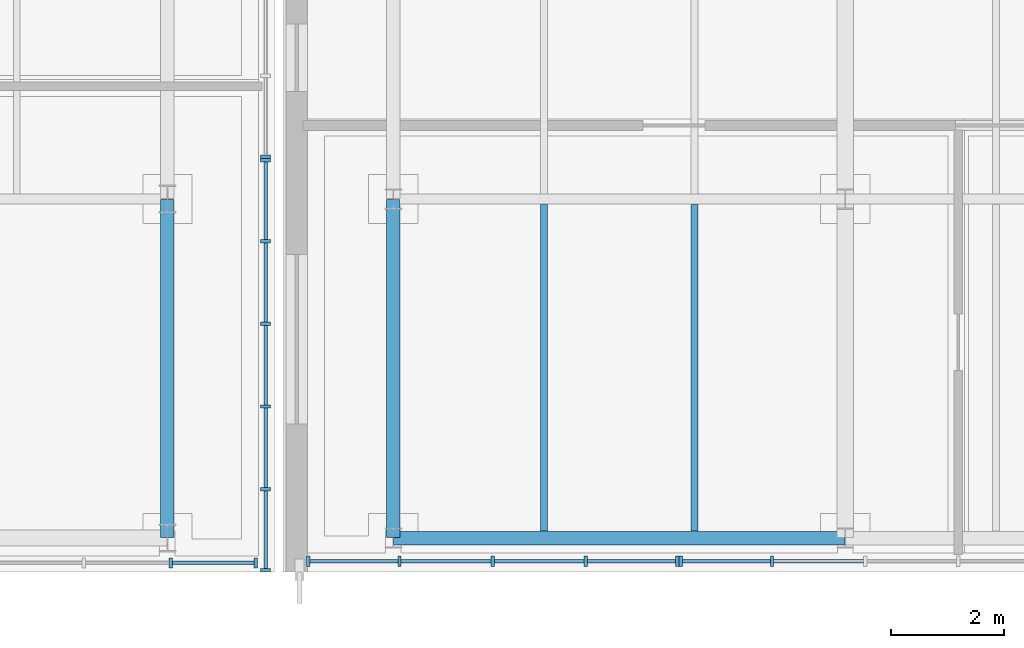
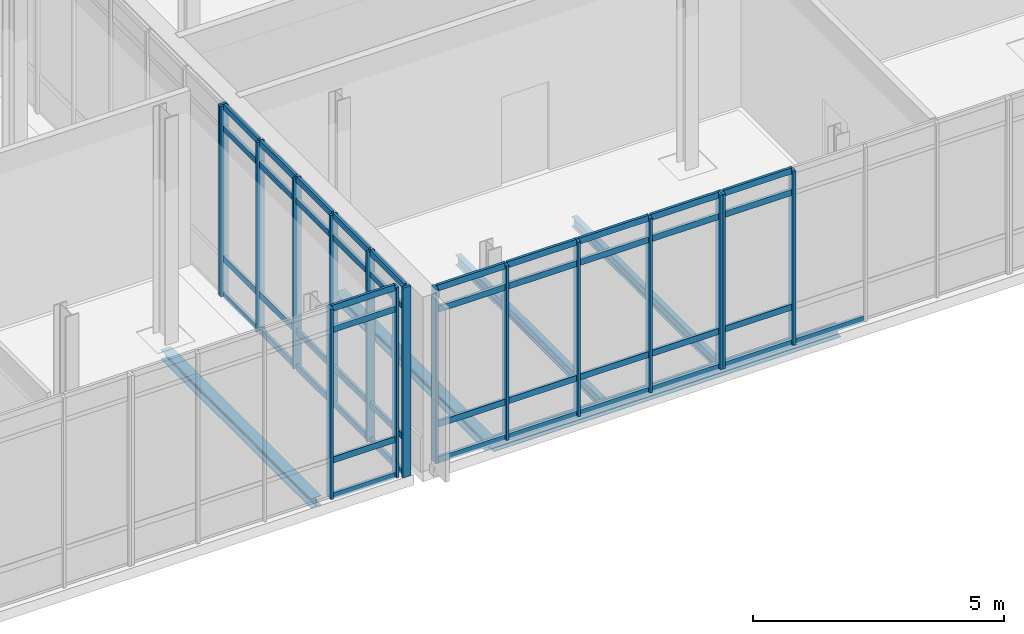
# One storey, part 25 of 86: 61 members, 5 beams, 5 elements without a shape of their own.
"""IFC4 building model written with IfcOpenShell, lengths in metres."""

from ifc_helpers import new_model, si_unit, direction, frame, origin, origin_2d, place, context, subcontext, project, spatial, rectangle, i_section, extrude, material, material_profile, profile_set, type_object, element, aggregate, save


model = new_model("IFC4")

# Units and contexts
model_context = context("Model", 3, precision=1e-05, world=origin(), true_north=direction((0.0, 1.0)))
body_context = subcontext(model_context, "Body", "Model", "MODEL_VIEW")
ifc_project = project(units=[si_unit("LENGTHUNIT", "METRE"), si_unit("AREAUNIT", "SQUARE_METRE"), si_unit("VOLUMEUNIT", "CUBIC_METRE"), si_unit("PLANEANGLEUNIT", "RADIAN"), si_unit("MASSUNIT", "GRAM", prefix="KILO")], contexts=[model_context])

# Site, building, storey
site_placement = place(None, origin())
site = spatial("IfcSite", under=ifc_project, at=site_placement, CompositionType="ELEMENT")
building_placement = place(site_placement, origin())
building = spatial("IfcBuilding", under=site, at=building_placement, Name="Cymarion Research Institute", CompositionType="ELEMENT")
storey_placement = place(building_placement, frame((0.0, 0.0, 13.800048828125)))
storey = spatial("IfcBuildingStorey", under=building, at=storey_placement, Name="L03", CompositionType="ELEMENT", Elevation=13.800048828125)

# Curtain wall, members
ifc_material_1 = material(Name="Anodised aluminium unitised curtain wall with Low-E glazing", Category="aluminium")
curtain_wall_type_1 = type_object("IfcCurtainWallType", Name="UNITISED CURTAIN WALL CW26 6590X4240", PredefinedType="NOTDEFINED", material=ifc_material_1)
curtain_wall_1_placement = place(storey_placement, origin())
curtain_wall_1 = element("IfcCurtainWall", 1, at=curtain_wall_1_placement, inside=storey, type_object=curtain_wall_type_1, Name="L03 V1 unitised curtain wall CW26 #119", PredefinedType="NOTDEFINED")
ifc_material_2 = material(Name="Anodised aluminium framing", Category="aluminium")
ifc_material_profile_1 = material_profile(ifc_material_2, rectangle(XDim=0.06005859375, YDim=0.179931640625, at=origin_2d()), Name="ALU MULLION 60x180")
ifc_profile_set_1 = profile_set([ifc_material_profile_1], Name="Anodised aluminium framing")
member_type_1 = type_object("IfcMemberType", Name="CURTAIN WALL MULLION ML01 60X180", PredefinedType="MULLION", material=ifc_profile_set_1)
member_1_placement = place(storey_placement, frame((105.092041015625, 5.090087890625, 0.0), z_axis=(0.0, 0.0, 1.0), x_axis=(1.0, 0.0, 0.0)))
member_1 = element("IfcMember", 2, at=member_1_placement, type_object=member_type_1, Name="CW26 mullion 1", PredefinedType="MULLION", context=body_context, shape_type="SweptSolid", body=[
    extrude(rectangle(XDim=0.06005859375, YDim=0.179931640625, at=origin_2d()), origin(), (0.0, 0.0, 1.0), 4.239990234375),
])
member_2_placement = place(storey_placement, frame((106.710205078125, 5.090087890625, 0.0), z_axis=(0.0, 0.0, 1.0), x_axis=(1.0, 0.0, 0.0)))
member_2 = element("IfcMember", 3, at=member_2_placement, type_object=member_type_1, Name="CW26 mullion 2", PredefinedType="MULLION", context=body_context, shape_type="SweptSolid", body=[
    extrude(rectangle(XDim=0.06005859375, YDim=0.179931640625, at=origin_2d()), origin(), (0.0, 0.0, 1.0), 4.239990234375),
])
member_3_placement = place(storey_placement, frame((108.358642578125, 5.090087890625, 0.0), z_axis=(0.0, 0.0, 1.0), x_axis=(1.0, 0.0, 0.0)))
member_3 = element("IfcMember", 4, at=member_3_placement, type_object=member_type_1, Name="CW26 mullion 3", PredefinedType="MULLION", context=body_context, shape_type="SweptSolid", body=[
    extrude(rectangle(XDim=0.06005859375, YDim=0.179931640625, at=origin_2d()), origin(), (0.0, 0.0, 1.0), 4.239990234375),
])
member_4_placement = place(storey_placement, frame((110.0068359375, 5.090087890625, 0.0), z_axis=(0.0, 0.0, 1.0), x_axis=(1.0, 0.0, 0.0)))
member_4 = element("IfcMember", 5, at=member_4_placement, type_object=member_type_1, Name="CW26 mullion 4", PredefinedType="MULLION", context=body_context, shape_type="SweptSolid", body=[
    extrude(rectangle(XDim=0.06005859375, YDim=0.179931640625, at=origin_2d()), origin(), (0.0, 0.0, 1.0), 4.239990234375),
])
member_5_placement = place(storey_placement, frame((111.625, 5.090087890625, 0.0), z_axis=(0.0, 0.0, 1.0), x_axis=(1.0, 0.0, 0.0)))
member_5 = element("IfcMember", 6, at=member_5_placement, type_object=member_type_1, Name="CW26 mullion 5", PredefinedType="MULLION", context=body_context, shape_type="SweptSolid", body=[
    extrude(rectangle(XDim=0.06005859375, YDim=0.179931640625, at=origin_2d()), origin(), (0.0, 0.0, 1.0), 4.239990234375),
])

curtain_wall_2_placement = place(storey_placement, origin())
curtain_wall_2 = element("IfcCurtainWall", 7, at=curtain_wall_2_placement, inside=storey, type_object=curtain_wall_type_1, Name="L03 V1 unitised curtain wall CW26 #120", PredefinedType="NOTDEFINED")
member_6_placement = place(storey_placement, frame((111.68505859375, 5.090087890625, 0.0), z_axis=(0.0, 0.0, 1.0), x_axis=(1.0, 0.0, 0.0)))
member_6 = element("IfcMember", 8, at=member_6_placement, type_object=member_type_1, Name="CW26 mullion 1", PredefinedType="MULLION", context=body_context, shape_type="SweptSolid", body=[
    extrude(rectangle(XDim=0.06005859375, YDim=0.179931640625, at=origin_2d()), origin(), (0.0, 0.0, 1.0), 4.239990234375),
])
member_7_placement = place(storey_placement, frame((113.303466796875, 5.090087890625, 0.0), z_axis=(0.0, 0.0, 1.0), x_axis=(1.0, 0.0, 0.0)))
member_7 = element("IfcMember", 9, at=member_7_placement, type_object=member_type_1, Name="CW26 mullion 2", PredefinedType="MULLION", context=body_context, shape_type="SweptSolid", body=[
    extrude(rectangle(XDim=0.06005859375, YDim=0.179931640625, at=origin_2d()), origin(), (0.0, 0.0, 1.0), 4.239990234375),
])

curtain_wall_type_2 = type_object("IfcCurtainWallType", Name="UNITISED CURTAIN WALL CW27 6150X4620", PredefinedType="NOTDEFINED", material=ifc_material_1)
curtain_wall_3_placement = place(storey_placement, origin())
curtain_wall_3 = element("IfcCurtainWall", 10, at=curtain_wall_3_placement, inside=storey, type_object=curtain_wall_type_2, Name="L03 V2 unitised curtain wall CW27 #136", PredefinedType="NOTDEFINED")
member_8_placement = place(storey_placement, frame((102.66064453125, 5.06005859375, 0.0), z_axis=(0.0, 0.0, 1.0), x_axis=(1.0, 0.0, 0.0)))
member_8 = element("IfcMember", 11, at=member_8_placement, type_object=member_type_1, Name="CW27 mullion 4", PredefinedType="MULLION", context=body_context, shape_type="SweptSolid", body=[
    extrude(rectangle(XDim=0.06005859375, YDim=0.179931640625, at=origin_2d()), origin(), (0.0, 0.0, 1.0), 4.619873046875),
])
member_9_placement = place(storey_placement, frame((104.16796875, 5.06005859375, 0.0), z_axis=(0.0, 0.0, 1.0), x_axis=(1.0, 0.0, 0.0)))
member_9 = element("IfcMember", 12, at=member_9_placement, type_object=member_type_1, Name="CW27 mullion 5", PredefinedType="MULLION", context=body_context, shape_type="SweptSolid", body=[
    extrude(rectangle(XDim=0.06005859375, YDim=0.179931640625, at=origin_2d()), origin(), (0.0, 0.0, 1.0), 4.619873046875),
])

curtain_wall_type_3 = type_object("IfcCurtainWallType", Name="UNITISED CURTAIN WALL CW28 7320X4620", PredefinedType="NOTDEFINED", material=ifc_material_1)
curtain_wall_4_placement = place(storey_placement, origin())
curtain_wall_4 = element("IfcCurtainWall", 13, at=curtain_wall_4_placement, inside=storey, type_object=curtain_wall_type_3, Name="L03 V2 unitised curtain wall CW28 #137", PredefinedType="NOTDEFINED")
member_10_placement = place(storey_placement, frame((104.340087890625, 4.929931640625, 0.0), z_axis=(0.0, 0.0, 1.0), x_axis=(0.0, 1.0, 0.0)))
member_10 = element("IfcMember", 14, at=member_10_placement, type_object=member_type_1, Name="CW28 mullion 1", PredefinedType="MULLION", context=body_context, shape_type="SweptSolid", body=[
    extrude(rectangle(XDim=0.06005859375, YDim=0.179931640625, at=origin_2d()), origin(), (0.0, 0.0, 1.0), 4.619873046875),
])
member_11_placement = place(storey_placement, frame((104.340087890625, 6.364013671875, 0.0), z_axis=(0.0, 0.0, 1.0), x_axis=(0.0, 1.0, 0.0)))
member_11 = element("IfcMember", 15, at=member_11_placement, type_object=member_type_1, Name="CW28 mullion 2", PredefinedType="MULLION", context=body_context, shape_type="SweptSolid", body=[
    extrude(rectangle(XDim=0.06005859375, YDim=0.179931640625, at=origin_2d()), origin(), (0.0, 0.0, 1.0), 4.619873046875),
])
member_12_placement = place(storey_placement, frame((104.340087890625, 7.827880859375, 0.0), z_axis=(0.0, 0.0, 1.0), x_axis=(0.0, 1.0, 0.0)))
member_12 = element("IfcMember", 16, at=member_12_placement, type_object=member_type_1, Name="CW28 mullion 3", PredefinedType="MULLION", context=body_context, shape_type="SweptSolid", body=[
    extrude(rectangle(XDim=0.06005859375, YDim=0.179931640625, at=origin_2d()), origin(), (0.0, 0.0, 1.0), 4.619873046875),
])
member_13_placement = place(storey_placement, frame((104.340087890625, 9.2919921875, 0.0), z_axis=(0.0, 0.0, 1.0), x_axis=(0.0, 1.0, 0.0)))
member_13 = element("IfcMember", 17, at=member_13_placement, type_object=member_type_1, Name="CW28 mullion 4", PredefinedType="MULLION", context=body_context, shape_type="SweptSolid", body=[
    extrude(rectangle(XDim=0.06005859375, YDim=0.179931640625, at=origin_2d()), origin(), (0.0, 0.0, 1.0), 4.619873046875),
])
member_14_placement = place(storey_placement, frame((104.340087890625, 10.756103515625, 0.0), z_axis=(0.0, 0.0, 1.0), x_axis=(0.0, 1.0, 0.0)))
member_14 = element("IfcMember", 18, at=member_14_placement, type_object=member_type_1, Name="CW28 mullion 5", PredefinedType="MULLION", context=body_context, shape_type="SweptSolid", body=[
    extrude(rectangle(XDim=0.06005859375, YDim=0.179931640625, at=origin_2d()), origin(), (0.0, 0.0, 1.0), 4.619873046875),
])
member_15_placement = place(storey_placement, frame((104.340087890625, 12.18994140625, 0.0), z_axis=(0.0, 0.0, 1.0), x_axis=(0.0, 1.0, 0.0)))
member_15 = element("IfcMember", 19, at=member_15_placement, type_object=member_type_1, Name="CW28 mullion 6", PredefinedType="MULLION", context=body_context, shape_type="SweptSolid", body=[
    extrude(rectangle(XDim=0.06005859375, YDim=0.179931640625, at=origin_2d()), origin(), (0.0, 0.0, 1.0), 4.619873046875),
])

# Curtain wall, member
curtain_wall_5_placement = place(storey_placement, origin())
curtain_wall_5 = element("IfcCurtainWall", 20, at=curtain_wall_5_placement, inside=storey, type_object=curtain_wall_type_3, Name="L03 V2 unitised curtain wall CW28 #138", PredefinedType="NOTDEFINED")
member_16_placement = place(storey_placement, frame((104.340087890625, 12.25, 0.0), z_axis=(0.0, 0.0, 1.0), x_axis=(0.0, 1.0, 0.0)))
member_16 = element("IfcMember", 21, at=member_16_placement, type_object=member_type_1, Name="CW28 mullion 1", PredefinedType="MULLION", context=body_context, shape_type="SweptSolid", body=[
    extrude(rectangle(XDim=0.06005859375, YDim=0.179931640625, at=origin_2d()), origin(), (0.0, 0.0, 1.0), 4.619873046875),
])
aggregate(curtain_wall_5, [member_16])

# Member
ifc_material_profile_2 = material_profile(ifc_material_2, rectangle(XDim=0.06005859375, YDim=0.14990234375, at=origin_2d()), Name="ALU TRANSOM 60x150")
ifc_profile_set_2 = profile_set([ifc_material_profile_2], Name="Anodised aluminium framing")
member_type_2 = type_object("IfcMemberType", Name="CURTAIN WALL TRANSOM TR01 60X150", PredefinedType="USERDEFINED", material=ifc_profile_set_2)
member_17_placement = place(storey_placement, frame((105.1220703125, 5.090087890625, 0.030029296875), z_axis=(1.0, 0.0, 0.0), x_axis=(0.0, 1.0, 0.0)))
member_17 = element("IfcMember", 22, at=member_17_placement, type_object=member_type_2, Name="CW26 transom 1.1", ObjectType="TRANSOM", PredefinedType="USERDEFINED", context=body_context, shape_type="SweptSolid", body=[
    extrude(rectangle(XDim=0.06005859375, YDim=0.14990234375, at=origin_2d()), origin(), (0.0, 0.0, 1.0), 1.55810546875),
])

member_18_placement = place(storey_placement, frame((105.1220703125, 5.090087890625, 0.89990234375), z_axis=(1.0, 0.0, 0.0), x_axis=(0.0, 1.0, 0.0)))
member_18 = element("IfcMember", 23, at=member_18_placement, type_object=member_type_2, Name="CW26 transom 1.2", ObjectType="TRANSOM", PredefinedType="USERDEFINED", context=body_context, shape_type="SweptSolid", body=[
    extrude(rectangle(XDim=0.06005859375, YDim=0.14990234375, at=origin_2d()), origin(), (0.0, 0.0, 1.0), 1.55810546875),
])

member_19_placement = place(storey_placement, frame((105.1220703125, 5.090087890625, 3.68994140625), z_axis=(1.0, 0.0, 0.0), x_axis=(0.0, 1.0, 0.0)))
member_19 = element("IfcMember", 24, at=member_19_placement, type_object=member_type_2, Name="CW26 transom 1.3", ObjectType="TRANSOM", PredefinedType="USERDEFINED", context=body_context, shape_type="SweptSolid", body=[
    extrude(rectangle(XDim=0.06005859375, YDim=0.14990234375, at=origin_2d()), origin(), (0.0, 0.0, 1.0), 1.55810546875),
])

member_20_placement = place(storey_placement, frame((105.1220703125, 5.090087890625, 4.2099609375), z_axis=(1.0, 0.0, 0.0), x_axis=(0.0, 1.0, 0.0)))
member_20 = element("IfcMember", 25, at=member_20_placement, type_object=member_type_2, Name="CW26 transom 1.4", ObjectType="TRANSOM", PredefinedType="USERDEFINED", context=body_context, shape_type="SweptSolid", body=[
    extrude(rectangle(XDim=0.06005859375, YDim=0.14990234375, at=origin_2d()), origin(), (0.0, 0.0, 1.0), 1.55810546875),
])

member_21_placement = place(storey_placement, frame((106.740234375, 5.090087890625, 0.030029296875), z_axis=(1.0, 0.0, 0.0), x_axis=(0.0, 1.0, 0.0)))
member_21 = element("IfcMember", 26, at=member_21_placement, type_object=member_type_2, Name="CW26 transom 2.1", ObjectType="TRANSOM", PredefinedType="USERDEFINED", context=body_context, shape_type="SweptSolid", body=[
    extrude(rectangle(XDim=0.06005859375, YDim=0.14990234375, at=origin_2d()), origin(), (0.0, 0.0, 1.0), 1.58837890625),
])

member_22_placement = place(storey_placement, frame((106.740234375, 5.090087890625, 0.89990234375), z_axis=(1.0, 0.0, 0.0), x_axis=(0.0, 1.0, 0.0)))
member_22 = element("IfcMember", 27, at=member_22_placement, type_object=member_type_2, Name="CW26 transom 2.2", ObjectType="TRANSOM", PredefinedType="USERDEFINED", context=body_context, shape_type="SweptSolid", body=[
    extrude(rectangle(XDim=0.06005859375, YDim=0.14990234375, at=origin_2d()), origin(), (0.0, 0.0, 1.0), 1.58837890625),
])

member_23_placement = place(storey_placement, frame((106.740234375, 5.090087890625, 3.68994140625), z_axis=(1.0, 0.0, 0.0), x_axis=(0.0, 1.0, 0.0)))
member_23 = element("IfcMember", 28, at=member_23_placement, type_object=member_type_2, Name="CW26 transom 2.3", ObjectType="TRANSOM", PredefinedType="USERDEFINED", context=body_context, shape_type="SweptSolid", body=[
    extrude(rectangle(XDim=0.06005859375, YDim=0.14990234375, at=origin_2d()), origin(), (0.0, 0.0, 1.0), 1.58837890625),
])

member_24_placement = place(storey_placement, frame((106.740234375, 5.090087890625, 4.2099609375), z_axis=(1.0, 0.0, 0.0), x_axis=(0.0, 1.0, 0.0)))
member_24 = element("IfcMember", 29, at=member_24_placement, type_object=member_type_2, Name="CW26 transom 2.4", ObjectType="TRANSOM", PredefinedType="USERDEFINED", context=body_context, shape_type="SweptSolid", body=[
    extrude(rectangle(XDim=0.06005859375, YDim=0.14990234375, at=origin_2d()), origin(), (0.0, 0.0, 1.0), 1.58837890625),
])

member_25_placement = place(storey_placement, frame((108.388671875, 5.090087890625, 0.030029296875), z_axis=(1.0, 0.0, 0.0), x_axis=(0.0, 1.0, 0.0)))
member_25 = element("IfcMember", 30, at=member_25_placement, type_object=member_type_2, Name="CW26 transom 3.1", ObjectType="TRANSOM", PredefinedType="USERDEFINED", context=body_context, shape_type="SweptSolid", body=[
    extrude(rectangle(XDim=0.06005859375, YDim=0.14990234375, at=origin_2d()), origin(), (0.0, 0.0, 1.0), 1.588134765625),
])

member_26_placement = place(storey_placement, frame((108.388671875, 5.090087890625, 0.89990234375), z_axis=(1.0, 0.0, 0.0), x_axis=(0.0, 1.0, 0.0)))
member_26 = element("IfcMember", 31, at=member_26_placement, type_object=member_type_2, Name="CW26 transom 3.2", ObjectType="TRANSOM", PredefinedType="USERDEFINED", context=body_context, shape_type="SweptSolid", body=[
    extrude(rectangle(XDim=0.06005859375, YDim=0.14990234375, at=origin_2d()), origin(), (0.0, 0.0, 1.0), 1.588134765625),
])

member_27_placement = place(storey_placement, frame((108.388671875, 5.090087890625, 3.68994140625), z_axis=(1.0, 0.0, 0.0), x_axis=(0.0, 1.0, 0.0)))
member_27 = element("IfcMember", 32, at=member_27_placement, type_object=member_type_2, Name="CW26 transom 3.3", ObjectType="TRANSOM", PredefinedType="USERDEFINED", context=body_context, shape_type="SweptSolid", body=[
    extrude(rectangle(XDim=0.06005859375, YDim=0.14990234375, at=origin_2d()), origin(), (0.0, 0.0, 1.0), 1.588134765625),
])

member_28_placement = place(storey_placement, frame((108.388671875, 5.090087890625, 4.2099609375), z_axis=(1.0, 0.0, 0.0), x_axis=(0.0, 1.0, 0.0)))
member_28 = element("IfcMember", 33, at=member_28_placement, type_object=member_type_2, Name="CW26 transom 3.4", ObjectType="TRANSOM", PredefinedType="USERDEFINED", context=body_context, shape_type="SweptSolid", body=[
    extrude(rectangle(XDim=0.06005859375, YDim=0.14990234375, at=origin_2d()), origin(), (0.0, 0.0, 1.0), 1.588134765625),
])

member_29_placement = place(storey_placement, frame((110.036865234375, 5.090087890625, 0.030029296875), z_axis=(1.0, 0.0, 0.0), x_axis=(0.0, 1.0, 0.0)))
member_29 = element("IfcMember", 34, at=member_29_placement, type_object=member_type_2, Name="CW26 transom 4.1", ObjectType="TRANSOM", PredefinedType="USERDEFINED", context=body_context, shape_type="SweptSolid", body=[
    extrude(rectangle(XDim=0.06005859375, YDim=0.14990234375, at=origin_2d()), origin(), (0.0, 0.0, 1.0), 1.558349609375),
])

member_30_placement = place(storey_placement, frame((110.036865234375, 5.090087890625, 0.89990234375), z_axis=(1.0, 0.0, 0.0), x_axis=(0.0, 1.0, 0.0)))
member_30 = element("IfcMember", 35, at=member_30_placement, type_object=member_type_2, Name="CW26 transom 4.2", ObjectType="TRANSOM", PredefinedType="USERDEFINED", context=body_context, shape_type="SweptSolid", body=[
    extrude(rectangle(XDim=0.06005859375, YDim=0.14990234375, at=origin_2d()), origin(), (0.0, 0.0, 1.0), 1.558349609375),
])

member_31_placement = place(storey_placement, frame((110.036865234375, 5.090087890625, 3.68994140625), z_axis=(1.0, 0.0, 0.0), x_axis=(0.0, 1.0, 0.0)))
member_31 = element("IfcMember", 36, at=member_31_placement, type_object=member_type_2, Name="CW26 transom 4.3", ObjectType="TRANSOM", PredefinedType="USERDEFINED", context=body_context, shape_type="SweptSolid", body=[
    extrude(rectangle(XDim=0.06005859375, YDim=0.14990234375, at=origin_2d()), origin(), (0.0, 0.0, 1.0), 1.558349609375),
])

member_32_placement = place(storey_placement, frame((110.036865234375, 5.090087890625, 4.2099609375), z_axis=(1.0, 0.0, 0.0), x_axis=(0.0, 1.0, 0.0)))
member_32 = element("IfcMember", 37, at=member_32_placement, type_object=member_type_2, Name="CW26 transom 4.4", ObjectType="TRANSOM", PredefinedType="USERDEFINED", context=body_context, shape_type="SweptSolid", body=[
    extrude(rectangle(XDim=0.06005859375, YDim=0.14990234375, at=origin_2d()), origin(), (0.0, 0.0, 1.0), 1.558349609375),
])

aggregate(curtain_wall_1, [member_1, member_2, member_3, member_4, member_5, member_17, member_18, member_19, member_20, member_21, member_22, member_23, member_24, member_25, member_26, member_27, member_28, member_29, member_30, member_31, member_32])

member_33_placement = place(storey_placement, frame((111.715087890625, 5.090087890625, 0.030029296875), z_axis=(1.0, 0.0, 0.0), x_axis=(0.0, 1.0, 0.0)))
member_33 = element("IfcMember", 38, at=member_33_placement, type_object=member_type_2, Name="CW26 transom 1.1", ObjectType="TRANSOM", PredefinedType="USERDEFINED", context=body_context, shape_type="SweptSolid", body=[
    extrude(rectangle(XDim=0.06005859375, YDim=0.14990234375, at=origin_2d()), origin(), (0.0, 0.0, 1.0), 1.558349609375),
])

member_34_placement = place(storey_placement, frame((111.715087890625, 5.090087890625, 0.89990234375), z_axis=(1.0, 0.0, 0.0), x_axis=(0.0, 1.0, 0.0)))
member_34 = element("IfcMember", 39, at=member_34_placement, type_object=member_type_2, Name="CW26 transom 1.2", ObjectType="TRANSOM", PredefinedType="USERDEFINED", context=body_context, shape_type="SweptSolid", body=[
    extrude(rectangle(XDim=0.06005859375, YDim=0.14990234375, at=origin_2d()), origin(), (0.0, 0.0, 1.0), 1.558349609375),
])

member_35_placement = place(storey_placement, frame((111.715087890625, 5.090087890625, 3.68994140625), z_axis=(1.0, 0.0, 0.0), x_axis=(0.0, 1.0, 0.0)))
member_35 = element("IfcMember", 40, at=member_35_placement, type_object=member_type_2, Name="CW26 transom 1.3", ObjectType="TRANSOM", PredefinedType="USERDEFINED", context=body_context, shape_type="SweptSolid", body=[
    extrude(rectangle(XDim=0.06005859375, YDim=0.14990234375, at=origin_2d()), origin(), (0.0, 0.0, 1.0), 1.558349609375),
])

member_36_placement = place(storey_placement, frame((111.715087890625, 5.090087890625, 4.2099609375), z_axis=(1.0, 0.0, 0.0), x_axis=(0.0, 1.0, 0.0)))
member_36 = element("IfcMember", 41, at=member_36_placement, type_object=member_type_2, Name="CW26 transom 1.4", ObjectType="TRANSOM", PredefinedType="USERDEFINED", context=body_context, shape_type="SweptSolid", body=[
    extrude(rectangle(XDim=0.06005859375, YDim=0.14990234375, at=origin_2d()), origin(), (0.0, 0.0, 1.0), 1.558349609375),
])

member_37_placement = place(storey_placement, frame((113.33349609375, 5.090087890625, 0.030029296875), z_axis=(1.0, 0.0, 0.0), x_axis=(0.0, 1.0, 0.0)))
member_37 = element("IfcMember", 42, at=member_37_placement, type_object=member_type_2, Name="CW26 transom 2.1", ObjectType="TRANSOM", PredefinedType="USERDEFINED", context=body_context, shape_type="SweptSolid", body=[
    extrude(rectangle(XDim=0.06005859375, YDim=0.14990234375, at=origin_2d()), origin(), (0.0, 0.0, 1.0), 1.588134765625),
])

aggregate(curtain_wall_2, [member_6, member_7, member_33, member_34, member_35, member_36, member_37])

member_38_placement = place(storey_placement, frame((102.690673828125, 5.06005859375, 0.030029296875), z_axis=(1.0, 0.0, 0.0), x_axis=(0.0, 1.0, 0.0)))
member_38 = element("IfcMember", 43, at=member_38_placement, type_object=member_type_2, Name="CW27 transom 4.1", ObjectType="TRANSOM", PredefinedType="USERDEFINED", context=body_context, shape_type="SweptSolid", body=[
    extrude(rectangle(XDim=0.06005859375, YDim=0.14990234375, at=origin_2d()), origin(), (0.0, 0.0, 1.0), 1.447265625),
])

member_39_placement = place(storey_placement, frame((102.690673828125, 5.06005859375, 0.89990234375), z_axis=(1.0, 0.0, 0.0), x_axis=(0.0, 1.0, 0.0)))
member_39 = element("IfcMember", 44, at=member_39_placement, type_object=member_type_2, Name="CW27 transom 4.2", ObjectType="TRANSOM", PredefinedType="USERDEFINED", context=body_context, shape_type="SweptSolid", body=[
    extrude(rectangle(XDim=0.06005859375, YDim=0.14990234375, at=origin_2d()), origin(), (0.0, 0.0, 1.0), 1.447265625),
])

member_40_placement = place(storey_placement, frame((102.690673828125, 5.06005859375, 4.070068359375), z_axis=(1.0, 0.0, 0.0), x_axis=(0.0, 1.0, 0.0)))
member_40 = element("IfcMember", 45, at=member_40_placement, type_object=member_type_2, Name="CW27 transom 4.3", ObjectType="TRANSOM", PredefinedType="USERDEFINED", context=body_context, shape_type="SweptSolid", body=[
    extrude(rectangle(XDim=0.06005859375, YDim=0.14990234375, at=origin_2d()), origin(), (0.0, 0.0, 1.0), 1.447265625),
])

member_41_placement = place(storey_placement, frame((102.690673828125, 5.06005859375, 4.58984375), z_axis=(1.0, 0.0, 0.0), x_axis=(0.0, 1.0, 0.0)))
member_41 = element("IfcMember", 46, at=member_41_placement, type_object=member_type_2, Name="CW27 transom 4.4", ObjectType="TRANSOM", PredefinedType="USERDEFINED", context=body_context, shape_type="SweptSolid", body=[
    extrude(rectangle(XDim=0.06005859375, YDim=0.14990234375, at=origin_2d()), origin(), (0.0, 0.0, 1.0), 1.447265625),
])

aggregate(curtain_wall_3, [member_8, member_9, member_38, member_39, member_40, member_41])

member_42_placement = place(storey_placement, frame((104.340087890625, 4.9599609375, 0.030029296875), z_axis=(0.0, 1.0, 0.0), x_axis=(-1.0, 0.0, 0.0)))
member_42 = element("IfcMember", 47, at=member_42_placement, type_object=member_type_2, Name="CW28 transom 1.1", ObjectType="TRANSOM", PredefinedType="USERDEFINED", context=body_context, shape_type="SweptSolid", body=[
    extrude(rectangle(XDim=0.06005859375, YDim=0.14990234375, at=origin_2d()), origin(), (0.0, 0.0, 1.0), 1.3740234375),
])

member_43_placement = place(storey_placement, frame((104.340087890625, 4.9599609375, 0.89990234375), z_axis=(0.0, 1.0, 0.0), x_axis=(-1.0, 0.0, 0.0)))
member_43 = element("IfcMember", 48, at=member_43_placement, type_object=member_type_2, Name="CW28 transom 1.2", ObjectType="TRANSOM", PredefinedType="USERDEFINED", context=body_context, shape_type="SweptSolid", body=[
    extrude(rectangle(XDim=0.06005859375, YDim=0.14990234375, at=origin_2d()), origin(), (0.0, 0.0, 1.0), 1.3740234375),
])

member_44_placement = place(storey_placement, frame((104.340087890625, 4.9599609375, 4.070068359375), z_axis=(0.0, 1.0, 0.0), x_axis=(-1.0, 0.0, 0.0)))
member_44 = element("IfcMember", 49, at=member_44_placement, type_object=member_type_2, Name="CW28 transom 1.3", ObjectType="TRANSOM", PredefinedType="USERDEFINED", context=body_context, shape_type="SweptSolid", body=[
    extrude(rectangle(XDim=0.06005859375, YDim=0.14990234375, at=origin_2d()), origin(), (0.0, 0.0, 1.0), 1.3740234375),
])

member_45_placement = place(storey_placement, frame((104.340087890625, 4.9599609375, 4.58984375), z_axis=(0.0, 1.0, 0.0), x_axis=(-1.0, 0.0, 0.0)))
member_45 = element("IfcMember", 50, at=member_45_placement, type_object=member_type_2, Name="CW28 transom 1.4", ObjectType="TRANSOM", PredefinedType="USERDEFINED", context=body_context, shape_type="SweptSolid", body=[
    extrude(rectangle(XDim=0.06005859375, YDim=0.14990234375, at=origin_2d()), origin(), (0.0, 0.0, 1.0), 1.3740234375),
])

member_46_placement = place(storey_placement, frame((104.340087890625, 6.39404296875, 0.030029296875), z_axis=(0.0, 1.0, 0.0), x_axis=(-1.0, 0.0, 0.0)))
member_46 = element("IfcMember", 51, at=member_46_placement, type_object=member_type_2, Name="CW28 transom 2.1", ObjectType="TRANSOM", PredefinedType="USERDEFINED", context=body_context, shape_type="SweptSolid", body=[
    extrude(rectangle(XDim=0.06005859375, YDim=0.14990234375, at=origin_2d()), origin(), (0.0, 0.0, 1.0), 1.404052734375),
])

member_47_placement = place(storey_placement, frame((104.340087890625, 6.39404296875, 0.89990234375), z_axis=(0.0, 1.0, 0.0), x_axis=(-1.0, 0.0, 0.0)))
member_47 = element("IfcMember", 52, at=member_47_placement, type_object=member_type_2, Name="CW28 transom 2.2", ObjectType="TRANSOM", PredefinedType="USERDEFINED", context=body_context, shape_type="SweptSolid", body=[
    extrude(rectangle(XDim=0.06005859375, YDim=0.14990234375, at=origin_2d()), origin(), (0.0, 0.0, 1.0), 1.404052734375),
])

member_48_placement = place(storey_placement, frame((104.340087890625, 6.39404296875, 4.070068359375), z_axis=(0.0, 1.0, 0.0), x_axis=(-1.0, 0.0, 0.0)))
member_48 = element("IfcMember", 53, at=member_48_placement, type_object=member_type_2, Name="CW28 transom 2.3", ObjectType="TRANSOM", PredefinedType="USERDEFINED", context=body_context, shape_type="SweptSolid", body=[
    extrude(rectangle(XDim=0.06005859375, YDim=0.14990234375, at=origin_2d()), origin(), (0.0, 0.0, 1.0), 1.404052734375),
])

member_49_placement = place(storey_placement, frame((104.340087890625, 6.39404296875, 4.58984375), z_axis=(0.0, 1.0, 0.0), x_axis=(-1.0, 0.0, 0.0)))
member_49 = element("IfcMember", 54, at=member_49_placement, type_object=member_type_2, Name="CW28 transom 2.4", ObjectType="TRANSOM", PredefinedType="USERDEFINED", context=body_context, shape_type="SweptSolid", body=[
    extrude(rectangle(XDim=0.06005859375, YDim=0.14990234375, at=origin_2d()), origin(), (0.0, 0.0, 1.0), 1.404052734375),
])

member_50_placement = place(storey_placement, frame((104.340087890625, 7.85791015625, 0.030029296875), z_axis=(0.0, 1.0, 0.0), x_axis=(-1.0, 0.0, 0.0)))
member_50 = element("IfcMember", 55, at=member_50_placement, type_object=member_type_2, Name="CW28 transom 3.1", ObjectType="TRANSOM", PredefinedType="USERDEFINED", context=body_context, shape_type="SweptSolid", body=[
    extrude(rectangle(XDim=0.06005859375, YDim=0.14990234375, at=origin_2d()), origin(), (0.0, 0.0, 1.0), 1.404052734375),
])

member_51_placement = place(storey_placement, frame((104.340087890625, 7.85791015625, 0.89990234375), z_axis=(0.0, 1.0, 0.0), x_axis=(-1.0, 0.0, 0.0)))
member_51 = element("IfcMember", 56, at=member_51_placement, type_object=member_type_2, Name="CW28 transom 3.2", ObjectType="TRANSOM", PredefinedType="USERDEFINED", context=body_context, shape_type="SweptSolid", body=[
    extrude(rectangle(XDim=0.06005859375, YDim=0.14990234375, at=origin_2d()), origin(), (0.0, 0.0, 1.0), 1.404052734375),
])

member_52_placement = place(storey_placement, frame((104.340087890625, 7.85791015625, 4.070068359375), z_axis=(0.0, 1.0, 0.0), x_axis=(-1.0, 0.0, 0.0)))
member_52 = element("IfcMember", 57, at=member_52_placement, type_object=member_type_2, Name="CW28 transom 3.3", ObjectType="TRANSOM", PredefinedType="USERDEFINED", context=body_context, shape_type="SweptSolid", body=[
    extrude(rectangle(XDim=0.06005859375, YDim=0.14990234375, at=origin_2d()), origin(), (0.0, 0.0, 1.0), 1.404052734375),
])

member_53_placement = place(storey_placement, frame((104.340087890625, 7.85791015625, 4.58984375), z_axis=(0.0, 1.0, 0.0), x_axis=(-1.0, 0.0, 0.0)))
member_53 = element("IfcMember", 58, at=member_53_placement, type_object=member_type_2, Name="CW28 transom 3.4", ObjectType="TRANSOM", PredefinedType="USERDEFINED", context=body_context, shape_type="SweptSolid", body=[
    extrude(rectangle(XDim=0.06005859375, YDim=0.14990234375, at=origin_2d()), origin(), (0.0, 0.0, 1.0), 1.404052734375),
])

member_54_placement = place(storey_placement, frame((104.340087890625, 9.322021484375, 0.030029296875), z_axis=(0.0, 1.0, 0.0), x_axis=(-1.0, 0.0, 0.0)))
member_54 = element("IfcMember", 59, at=member_54_placement, type_object=member_type_2, Name="CW28 transom 4.1", ObjectType="TRANSOM", PredefinedType="USERDEFINED", context=body_context, shape_type="SweptSolid", body=[
    extrude(rectangle(XDim=0.06005859375, YDim=0.14990234375, at=origin_2d()), origin(), (0.0, 0.0, 1.0), 1.404052734375),
])

member_55_placement = place(storey_placement, frame((104.340087890625, 9.322021484375, 0.89990234375), z_axis=(0.0, 1.0, 0.0), x_axis=(-1.0, 0.0, 0.0)))
member_55 = element("IfcMember", 60, at=member_55_placement, type_object=member_type_2, Name="CW28 transom 4.2", ObjectType="TRANSOM", PredefinedType="USERDEFINED", context=body_context, shape_type="SweptSolid", body=[
    extrude(rectangle(XDim=0.06005859375, YDim=0.14990234375, at=origin_2d()), origin(), (0.0, 0.0, 1.0), 1.404052734375),
])

member_56_placement = place(storey_placement, frame((104.340087890625, 9.322021484375, 4.070068359375), z_axis=(0.0, 1.0, 0.0), x_axis=(-1.0, 0.0, 0.0)))
member_56 = element("IfcMember", 61, at=member_56_placement, type_object=member_type_2, Name="CW28 transom 4.3", ObjectType="TRANSOM", PredefinedType="USERDEFINED", context=body_context, shape_type="SweptSolid", body=[
    extrude(rectangle(XDim=0.06005859375, YDim=0.14990234375, at=origin_2d()), origin(), (0.0, 0.0, 1.0), 1.404052734375),
])

member_57_placement = place(storey_placement, frame((104.340087890625, 9.322021484375, 4.58984375), z_axis=(0.0, 1.0, 0.0), x_axis=(-1.0, 0.0, 0.0)))
member_57 = element("IfcMember", 62, at=member_57_placement, type_object=member_type_2, Name="CW28 transom 4.4", ObjectType="TRANSOM", PredefinedType="USERDEFINED", context=body_context, shape_type="SweptSolid", body=[
    extrude(rectangle(XDim=0.06005859375, YDim=0.14990234375, at=origin_2d()), origin(), (0.0, 0.0, 1.0), 1.404052734375),
])

member_58_placement = place(storey_placement, frame((104.340087890625, 10.785888671875, 0.030029296875), z_axis=(0.0, 1.0, 0.0), x_axis=(-1.0, 0.0, 0.0)))
member_58 = element("IfcMember", 63, at=member_58_placement, type_object=member_type_2, Name="CW28 transom 5.1", ObjectType="TRANSOM", PredefinedType="USERDEFINED", context=body_context, shape_type="SweptSolid", body=[
    extrude(rectangle(XDim=0.06005859375, YDim=0.14990234375, at=origin_2d()), origin(), (0.0, 0.0, 1.0), 1.3740234375),
])

member_59_placement = place(storey_placement, frame((104.340087890625, 10.785888671875, 0.89990234375), z_axis=(0.0, 1.0, 0.0), x_axis=(-1.0, 0.0, 0.0)))
member_59 = element("IfcMember", 64, at=member_59_placement, type_object=member_type_2, Name="CW28 transom 5.2", ObjectType="TRANSOM", PredefinedType="USERDEFINED", context=body_context, shape_type="SweptSolid", body=[
    extrude(rectangle(XDim=0.06005859375, YDim=0.14990234375, at=origin_2d()), origin(), (0.0, 0.0, 1.0), 1.3740234375),
])

member_60_placement = place(storey_placement, frame((104.340087890625, 10.785888671875, 4.070068359375), z_axis=(0.0, 1.0, 0.0), x_axis=(-1.0, 0.0, 0.0)))
member_60 = element("IfcMember", 65, at=member_60_placement, type_object=member_type_2, Name="CW28 transom 5.3", ObjectType="TRANSOM", PredefinedType="USERDEFINED", context=body_context, shape_type="SweptSolid", body=[
    extrude(rectangle(XDim=0.06005859375, YDim=0.14990234375, at=origin_2d()), origin(), (0.0, 0.0, 1.0), 1.3740234375),
])

member_61_placement = place(storey_placement, frame((104.340087890625, 10.785888671875, 4.58984375), z_axis=(0.0, 1.0, 0.0), x_axis=(-1.0, 0.0, 0.0)))
member_61 = element("IfcMember", 66, at=member_61_placement, type_object=member_type_2, Name="CW28 transom 5.4", ObjectType="TRANSOM", PredefinedType="USERDEFINED", context=body_context, shape_type="SweptSolid", body=[
    extrude(rectangle(XDim=0.06005859375, YDim=0.14990234375, at=origin_2d()), origin(), (0.0, 0.0, 1.0), 1.3740234375),
])

aggregate(curtain_wall_4, [member_10, member_11, member_12, member_13, member_14, member_15, member_42, member_43, member_44, member_45, member_46, member_47, member_48, member_49, member_50, member_51, member_52, member_53, member_54, member_55, member_56, member_57, member_58, member_59, member_60, member_61])

# Beams
ifc_material_3 = material(Name="Steel S355", Category="steel")
ifc_material_profile_3 = material_profile(ifc_material_3, i_section(OverallWidth=0.1201171875, OverallDepth=0.239990234375, WebThickness=0.006103515625, FlangeThickness=0.009765625, FilletRadius=0.014892578125, at=origin_2d()), Name="IPE 240")
ifc_profile_set_3 = profile_set([ifc_material_profile_3], Name="Steel S355")
beam_type_1 = type_object("IfcBeamType", Name="SECONDARY JOIST JS04 IPE 240", PredefinedType="JOIST", material=ifc_profile_set_3)
for number, where, z_axis, x_axis, name in (
    (67, (109.2666015625, 5.6240234375, -0.3701171875), (0.0, 1.0, 0.0), (-1.0, 0.0, 0.0), "L03 V1 secondary joist JS04 #1241"),
    (68, (111.933349609375, 5.6240234375, -0.3701171875), (0.0, 1.0, 0.0), (-1.0, 0.0, 0.0), "L03 V1 secondary joist JS04 #1242"),
):
    element("IfcBeam", number, at=place(storey_placement, frame(where, z_axis=z_axis, x_axis=x_axis)), inside=storey, type_object=beam_type_1, Name=name, PredefinedType="JOIST", context=body_context, shape_type="SweptSolid", body=[
        extrude(i_section(OverallWidth=0.1201171875, OverallDepth=0.239990234375, WebThickness=0.006103515625, FlangeThickness=0.009765625, FilletRadius=0.014892578125, at=origin_2d()), origin(), (0.0, 0.0, 1.0), 5.781982421875),
    ])
ifc_material_profile_4 = material_profile(ifc_material_3, i_section(OverallWidth=0.239990234375, OverallDepth=0.22998046875, WebThickness=0.007568359375, FlangeThickness=0.011962890625, FilletRadius=0.02099609375, at=origin_2d()), Name="HEA 240")
ifc_profile_set_4 = profile_set([ifc_material_profile_4], Name="Steel S355")
beam_type_2 = type_object("IfcBeamType", Name="SPANDREL BEAM SPB03 HEA 240", PredefinedType="SPANDREL", material=ifc_profile_set_4)
beam_placement = place(storey_placement, frame((106.60595703125, 5.5, -0.364990234375), z_axis=(1.0, 0.0, 0.0), x_axis=(0.0, 1.0, 0.0)))
element("IfcBeam", 69, at=beam_placement, inside=storey, type_object=beam_type_2, Name="L03 V1 girder SPB03 #1168", PredefinedType="SPANDREL", context=body_context, shape_type="SweptSolid", body=[
    extrude(i_section(OverallWidth=0.239990234375, OverallDepth=0.22998046875, WebThickness=0.007568359375, FlangeThickness=0.011962890625, FilletRadius=0.02099609375, at=origin_2d()), origin(), (0.0, 0.0, 1.0), 7.988037109375),
])
for number, where, z_axis, x_axis, name in (
    (70, (106.60009765625, 5.506103515625, -0.364990234375), (0.0, 1.0, 0.0), (-1.0, 0.0, 0.0), "L03 V1 girder SPB03 #1196"),
    (71, (102.60009765625, 5.506103515625, -0.364990234375), (0.0, 1.0, 0.0), (-1.0, 0.0, 0.0), "L03 V2 girder SPB03 #1331"),
):
    element("IfcBeam", number, at=place(storey_placement, frame(where, z_axis=z_axis, x_axis=x_axis)), inside=storey, type_object=beam_type_2, Name=name, PredefinedType="SPANDREL", context=body_context, shape_type="SweptSolid", body=[
        extrude(i_section(OverallWidth=0.239990234375, OverallDepth=0.22998046875, WebThickness=0.007568359375, FlangeThickness=0.011962890625, FilletRadius=0.02099609375, at=origin_2d()), origin(), (0.0, 0.0, 1.0), 5.98779296875),
    ])

save(model, "model.ifc")
